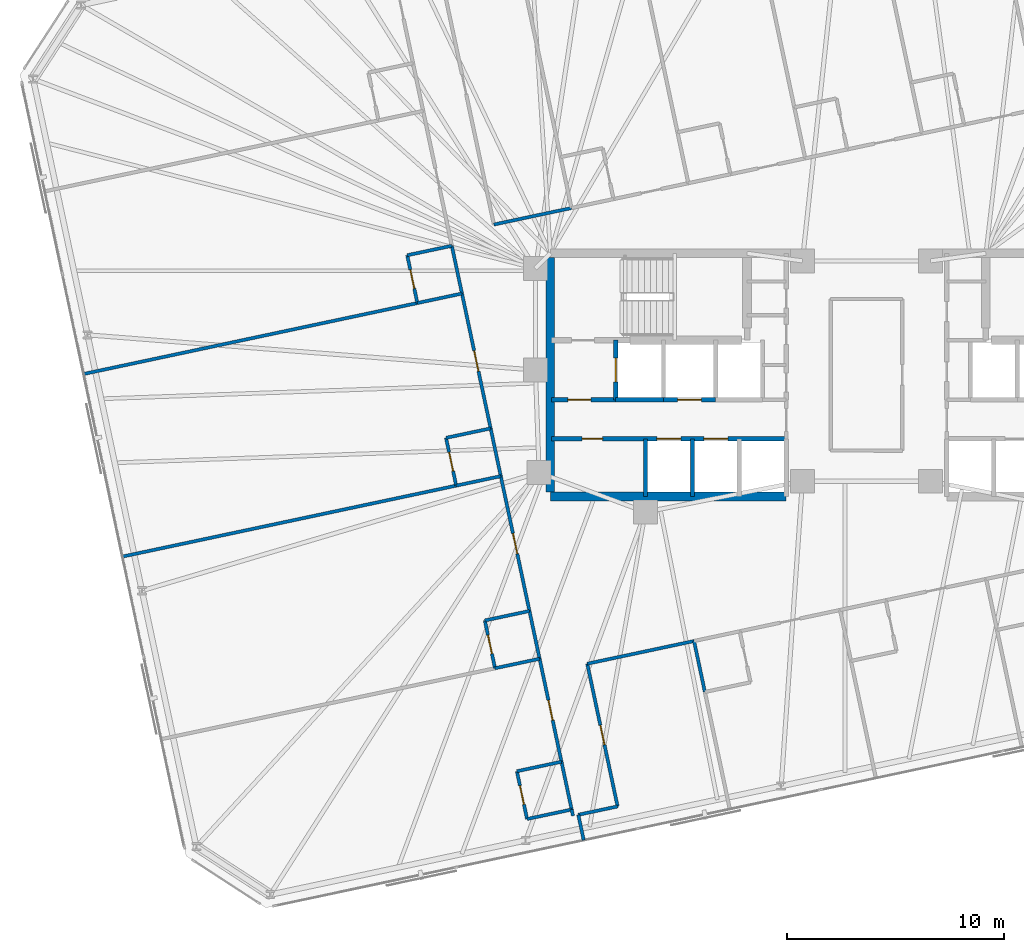
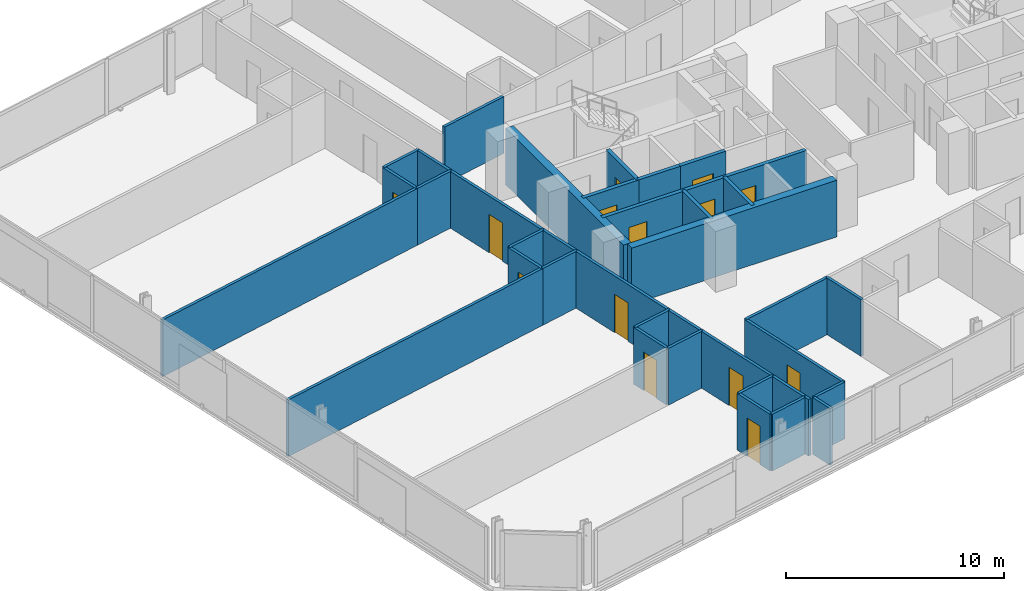
# One storey, part 14 of 20: 37 walls, 14 doors, 14 openings.
"""IFC4 building model written with IfcOpenShell, lengths in metres."""

from ifc_helpers import new_model, si_unit, direction, frame, frame_2d, origin, place, context, subcontext, project, spatial, rectangle, extrude, material, layer, layer_set, type_object, element, fill, save


model = new_model("IFC4")

# Units and contexts
model_context = context("Model", 3, precision=1e-05, world=origin(), true_north=direction((0.0, 1.0)))
body_context = subcontext(model_context, "Body", "Model", "MODEL_VIEW")
ifc_project = project(units=[si_unit("LENGTHUNIT", "METRE"), si_unit("AREAUNIT", "SQUARE_METRE"), si_unit("VOLUMEUNIT", "CUBIC_METRE"), si_unit("PLANEANGLEUNIT", "RADIAN"), si_unit("MASSUNIT", "GRAM", prefix="KILO")], contexts=[model_context])

# Site, building, storey
site_placement = place(None, origin())
site = spatial("IfcSite", under=ifc_project, at=site_placement, CompositionType="ELEMENT")
building_placement = place(site_placement, origin())
building = spatial("IfcBuilding", under=site, at=building_placement, Name="Menara Jurai Vektor", CompositionType="ELEMENT")
storey_placement = place(building_placement, frame((0.0, 0.0, 178.60009765625)))
storey = spatial("IfcBuildingStorey", under=building, at=storey_placement, Name="L46", CompositionType="ELEMENT", Elevation=178.60009765625)

# Wall, opening, door
ifc_material_1 = material(Name="Concrete C40/50", Category="concrete")
ifc_layer_1 = layer(ifc_material_1, 0.25)
ifc_layer_set_1 = layer_set([ifc_layer_1], Name="Concrete C40/50")
wall_type_1 = type_object("IfcWallType", Name="INT-WALL-CORE-250", PredefinedType="STANDARD", material=ifc_layer_set_1)
wall_1_placement = place(storey_placement, frame((-11.550048828125, -1.14990234375, 0.0), z_axis=(0.0, 0.0, 1.0), x_axis=(0.0, 1.0, 0.0)))
wall_1 = element("IfcWall", 1, at=wall_1_placement, inside=storey, type_object=wall_type_1, Name="Interior Wall IW-250 L46", PredefinedType="STANDARD", context=body_context, shape_type="SweptSolid", body=[
    extrude(rectangle(XDim=2.75, YDim=0.199951171875, at=frame_2d((1.375, 0.0))), origin(), (0.0, 0.0, 1.0), 3.1748046875),
])
opening_1_placement = place(wall_1_placement, frame((0.824951171875, 0.0, 0.0)))
opening_1 = element("IfcOpeningElement", 2, at=opening_1_placement, cuts=wall_1, Name="Opening LD-L46-FL1", PredefinedType="OPENING", context=body_context, shape_type="SweptSolid", body=[
    extrude(rectangle(XDim=1.10009765625, YDim=2.14990234375, at=frame_2d((0.550048828125, 1.074951171875))), frame((0.0, 0.10986328125, 0.0), z_axis=(0.0, -1.0, 0.0), x_axis=(1.0, 0.0, 0.0)), (0.0, 0.0, 1.0), 0.219970703125),
])
ifc_material_2 = material(Name="Stainless Steel Sliding Lift Landing Door", Category="steel")
door_type_1 = type_object("IfcDoorType", Name="DR-LIFT-FIRE-1100", OperationType="NOTDEFINED", PredefinedType="DOOR", material=ifc_material_2)
door_1_placement = place(opening_1_placement, origin())
door_1 = element("IfcDoor", 3, at=door_1_placement, inside=storey, type_object=door_type_1, Name="Lift Landing Door FL1 L46", OperationType="SLIDING_TO_RIGHT", OverallHeight=2.14990234375, OverallWidth=1.10009765625, PredefinedType="DOOR", context=body_context, shape_type="SweptSolid", body=[
    extrude(rectangle(XDim=1.10009765625, YDim=2.14990234375, at=frame_2d((0.550048828125, 1.074951171875))), frame((0.0, 0.02490234375, 0.0), z_axis=(0.0, -1.0, 0.0), x_axis=(1.0, 0.0, 0.0)), (0.0, 0.0, 1.0), 0.050048828125),
])
fill(opening_1, door_1)

wall_2_placement = place(storey_placement, frame((-14.5, -1.14990234375, 0.0), z_axis=(0.0, 0.0, 1.0), x_axis=(1.0, 0.0, 0.0)))
wall_2 = element("IfcWall", 4, at=wall_2_placement, inside=storey, type_object=wall_type_1, Name="Interior Wall IW-250 L46", PredefinedType="STANDARD", context=body_context, shape_type="SweptSolid", body=[
    extrude(rectangle(XDim=2.949951171875, YDim=0.199951171875, at=frame_2d((1.47509765625, 0.0))), origin(), (0.0, 0.0, 1.0), 3.1748046875),
])
opening_2_placement = place(wall_2_placement, frame((0.75, 0.0, 0.0)))
opening_2 = element("IfcOpeningElement", 5, at=opening_2_placement, cuts=wall_2, Name="Opening D-L46-FFW", PredefinedType="OPENING", context=body_context, shape_type="SweptSolid", body=[
    extrude(rectangle(XDim=1.050048828125, YDim=2.179931640625, at=frame_2d((0.52490234375, 1.08984375))), frame((0.0, 0.10986328125, 0.0), z_axis=(0.0, -1.0, 0.0), x_axis=(1.0, 0.0, 0.0)), (0.0, 0.0, 1.0), 0.219970703125),
])
ifc_material_3 = material(Name="Fire-Rated Timber Door", Category="wood")
door_type_2 = type_object("IfcDoorType", Name="DR-LOBBY-1050", OperationType="NOTDEFINED", PredefinedType="DOOR", material=ifc_material_3)
door_2_placement = place(opening_2_placement, origin())
door_2 = element("IfcDoor", 6, at=door_2_placement, inside=storey, type_object=door_type_2, Name="Fire Lift Lobby Door W L46", OperationType="SINGLE_SWING_RIGHT", OverallHeight=2.179931640625, OverallWidth=1.050048828125, PredefinedType="DOOR", context=body_context, shape_type="SweptSolid", body=[
    extrude(rectangle(XDim=1.050048828125, YDim=2.179931640625, at=frame_2d((0.52490234375, 1.08984375))), frame((0.0, 0.02490234375, 0.0), z_axis=(0.0, -1.0, 0.0), x_axis=(1.0, 0.0, 0.0)), (0.0, 0.0, 1.0), 0.050048828125),
])
fill(opening_2, door_2)

# Walls
wall_3_placement = place(storey_placement, frame((-11.550048828125, -1.14990234375, 0.0), z_axis=(0.0, 0.0, 1.0), x_axis=(1.0, 0.0, 0.0)))
element("IfcWall", 7, at=wall_3_placement, inside=storey, type_object=wall_type_1, Name="Interior Wall IW-250 L46", PredefinedType="STANDARD", context=body_context, shape_type="SweptSolid", body=[
    extrude(rectangle(XDim=2.199951171875, YDim=0.199951171875, at=frame_2d((1.10009765625, 0.0))), origin(), (0.0, 0.0, 1.0), 3.1748046875),
])
ifc_material_4 = material(Name="Gypsum Fireboard Partition", Category="gypsum")
ifc_layer_2 = layer(ifc_material_4, 0.14990234375)
ifc_layer_set_2 = layer_set([ifc_layer_2], Name="Gypsum Fireboard Partition")
wall_type_2 = type_object("IfcWallType", Name="INT-WALL-CORR-150", PredefinedType="PARTITIONING", material=ifc_layer_set_2)
wall_4_placement = place(storey_placement, frame((-17.162353515625, 6.92578125, 0.0), z_axis=(0.0, 0.0, 1.0), x_axis=(0.978147299501, 0.207913108004, 0.0)))
element("IfcWall", 8, at=wall_4_placement, inside=storey, type_object=wall_type_2, Name="Interior Wall IW-150 L46", PredefinedType="PARTITIONING", context=body_context, shape_type="SweptSolid", body=[
    extrude(rectangle(XDim=3.653076171875, YDim=0.14990234375, at=frame_2d((1.82666015625, 0.0))), origin(), (0.0, 0.0, 1.0), 3.1748046875),
])
wall_5_placement = place(storey_placement, frame((-13.274169921875, -20.264892578125, 0.0), z_axis=(0.0, 0.0, 1.0), x_axis=(0.978160192495, 0.207852442415, 0.0)))
element("IfcWall", 9, at=wall_5_placement, inside=storey, type_object=wall_type_2, Name="Interior Wall IW-150 L46", PredefinedType="PARTITIONING", context=body_context, shape_type="SweptSolid", body=[
    extrude(rectangle(XDim=1.849853515625, YDim=0.14990234375, at=frame_2d((0.9248046875, 0.0))), origin(), (0.0, 0.0, 1.0), 3.1748046875),
])

# Wall, opening, door
wall_6_placement = place(storey_placement, frame((-11.464599609375, -19.88037109375, 0.0), z_axis=(0.0, 0.0, 1.0), x_axis=(-0.207916109912, 0.978146661416, 0.0)))
wall_6 = element("IfcWall", 10, at=wall_6_placement, inside=storey, type_object=wall_type_2, Name="Interior Wall IW-150 L46", PredefinedType="PARTITIONING", context=body_context, shape_type="SweptSolid", body=[
    extrude(rectangle(XDim=6.72021484375, YDim=0.14990234375, at=frame_2d((3.360107421875, 0.0))), origin(), (0.0, 0.0, 1.0), 3.1748046875),
])
opening_3_placement = place(wall_6_placement, frame((2.89990234375, 0.0, 0.0)))
opening_3 = element("IfcOpeningElement", 11, at=opening_3_placement, cuts=wall_6, Name="Opening D46-20", PredefinedType="OPENING", context=body_context, shape_type="SweptSolid", body=[
    extrude(rectangle(XDim=0.919921875, YDim=2.14990234375, at=frame_2d((0.4599609375, 1.074951171875))), frame((0.0, 0.0849609375, 0.0), z_axis=(0.0, -1.0, 0.0), x_axis=(1.0, 0.0, 0.0)), (0.0, 0.0, 1.0), 0.169921875),
])
ifc_material_5 = material(Name="Solid Core Timber Fire Door", Category="wood")
door_type_3 = type_object("IfcDoorType", Name="DR-ENTRY-950", OperationType="NOTDEFINED", PredefinedType="DOOR", material=ifc_material_5)
door_3_placement = place(opening_3_placement, origin())
door_3 = element("IfcDoor", 12, at=door_3_placement, inside=storey, type_object=door_type_3, Name="Interior Door D46-20", OperationType="SINGLE_SWING_LEFT", OverallHeight=2.14990234375, OverallWidth=0.919921875, PredefinedType="DOOR", context=body_context, shape_type="SweptSolid", body=[
    extrude(rectangle(XDim=0.919921875, YDim=2.14990234375, at=frame_2d((0.4599609375, 1.074951171875))), frame((0.0, 0.02490234375, 0.0), z_axis=(0.0, -1.0, 0.0), x_axis=(1.0, 0.0, 0.0)), (0.0, 0.0, 1.0), 0.050048828125),
])
fill(opening_3, door_3)

# Walls
wall_7_placement = place(storey_placement, frame((-12.86181640625, -13.30712890625, 0.0), z_axis=(0.0, 0.0, 1.0), x_axis=(0.978145647498, 0.207920879857, 0.0)))
element("IfcWall", 13, at=wall_7_placement, inside=storey, type_object=wall_type_2, Name="Interior Wall IW-150 L46", PredefinedType="PARTITIONING", context=body_context, shape_type="SweptSolid", body=[
    extrude(rectangle(XDim=5.029052734375, YDim=0.14990234375, at=frame_2d((2.5146484375, 0.0))), origin(), (0.0, 0.0, 1.0), 3.1748046875),
])
wall_8_placement = place(storey_placement, frame((-13.518798828125, -20.31689453125, 0.0), z_axis=(0.0, 0.0, 1.0), x_axis=(-0.207527808066, 0.978229118806, 0.0)))
element("IfcWall", 14, at=wall_8_placement, inside=storey, type_object=wall_type_2, Name="Interior Wall IW-150 L46", PredefinedType="PARTITIONING", context=body_context, shape_type="SweptSolid", body=[
    extrude(rectangle(XDim=0.300048828125, YDim=0.14990234375, at=frame_2d((0.14990234375, 0.0))), origin(), (0.0, 0.0, 1.0), 3.1748046875),
])

# Wall, opening, door
wall_9_placement = place(storey_placement, frame((-14.048828125, -17.822509765625, 0.0), z_axis=(0.0, 0.0, 1.0), x_axis=(-0.2079027059, 0.978149510494, 0.0)))
wall_9 = element("IfcWall", 15, at=wall_9_placement, inside=storey, type_object=wall_type_2, Name="Interior Wall IW-150 L46", PredefinedType="PARTITIONING", context=body_context, shape_type="SweptSolid", body=[
    extrude(rectangle(XDim=4.849853515625, YDim=0.14990234375, at=frame_2d((2.4248046875, 0.0))), origin(), (0.0, 0.0, 1.0), 3.1748046875),
])
opening_4_placement = place(wall_9_placement, frame((1.949951171875, 0.0, 0.0)))
opening_4 = element("IfcOpeningElement", 16, at=opening_4_placement, cuts=wall_9, Name="Opening D46-29", PredefinedType="OPENING", context=body_context, shape_type="SweptSolid", body=[
    extrude(rectangle(XDim=0.949951171875, YDim=2.14990234375, at=frame_2d((0.47509765625, 1.074951171875))), frame((0.0, 0.0849609375, 0.0), z_axis=(0.0, -1.0, 0.0), x_axis=(1.0, 0.0, 0.0)), (0.0, 0.0, 1.0), 0.169921875),
])
door_4_placement = place(opening_4_placement, origin())
door_4 = element("IfcDoor", 17, at=door_4_placement, inside=storey, type_object=door_type_3, Name="Interior Door D46-29", OperationType="SINGLE_SWING_RIGHT", OverallHeight=2.14990234375, OverallWidth=0.949951171875, PredefinedType="DOOR", context=body_context, shape_type="SweptSolid", body=[
    extrude(rectangle(XDim=0.949951171875, YDim=2.14990234375, at=frame_2d((0.47509765625, 1.074951171875))), frame((0.0, 0.02490234375, 0.0), z_axis=(0.0, -1.0, 0.0), x_axis=(1.0, 0.0, 0.0)), (0.0, 0.0, 1.0), 0.050048828125),
])
fill(opening_4, door_4)

# Wall
wall_10_placement = place(storey_placement, frame((-13.5810546875, -20.0234375, 0.0), z_axis=(0.0, 0.0, 1.0), x_axis=(-0.207891197838, 0.978151956427, 0.0)))
element("IfcWall", 18, at=wall_10_placement, inside=storey, type_object=wall_type_2, Name="Interior Wall IW-150 L46", PredefinedType="PARTITIONING", context=body_context, shape_type="SweptSolid", body=[
    extrude(rectangle(XDim=2.25, YDim=0.14990234375, at=frame_2d((1.125, 0.0))), origin(), (0.0, 0.0, 1.0), 3.1748046875),
])

# Wall, opening, door
wall_11_placement = place(storey_placement, frame((-15.525146484375, -10.877685546875, 0.0), z_axis=(0.0, 0.0, 1.0), x_axis=(-0.207887725283, 0.978152694459, 0.0)))
wall_11 = element("IfcWall", 19, at=wall_11_placement, inside=storey, type_object=wall_type_2, Name="Interior Wall IW-150 L46", PredefinedType="PARTITIONING", context=body_context, shape_type="SweptSolid", body=[
    extrude(rectangle(XDim=6.349853515625, YDim=0.14990234375, at=frame_2d((3.1748046875, 0.0))), origin(), (0.0, 0.0, 1.0), 3.1748046875),
])
opening_5_placement = place(wall_11_placement, frame((2.699951171875, 0.0, 0.0)))
opening_5 = element("IfcOpeningElement", 20, at=opening_5_placement, cuts=wall_11, Name="Opening D46-31", PredefinedType="OPENING", context=body_context, shape_type="SweptSolid", body=[
    extrude(rectangle(XDim=0.949951171875, YDim=2.14990234375, at=frame_2d((0.47509765625, 1.074951171875))), frame((0.0, 0.0849609375, 0.0), z_axis=(0.0, -1.0, 0.0), x_axis=(1.0, 0.0, 0.0)), (0.0, 0.0, 1.0), 0.169921875),
])
door_5_placement = place(opening_5_placement, origin())
door_5 = element("IfcDoor", 21, at=door_5_placement, inside=storey, type_object=door_type_3, Name="Interior Door D46-31", OperationType="SINGLE_SWING_RIGHT", OverallHeight=2.14990234375, OverallWidth=0.949951171875, PredefinedType="DOOR", context=body_context, shape_type="SweptSolid", body=[
    extrude(rectangle(XDim=0.949951171875, YDim=2.14990234375, at=frame_2d((0.47509765625, 1.074951171875))), frame((0.0, 0.02490234375, 0.0), z_axis=(0.0, -1.0, 0.0), x_axis=(1.0, 0.0, 0.0)), (0.0, 0.0, 1.0), 0.050048828125),
])
fill(opening_5, door_5)

# Wall
wall_12_placement = place(storey_placement, frame((-15.05712890625, -13.07861328125, 0.0), z_axis=(0.0, 0.0, 1.0), x_axis=(-0.207995007687, 0.978129887478, 0.0)))
element("IfcWall", 22, at=wall_12_placement, inside=storey, type_object=wall_type_2, Name="Interior Wall IW-150 L46", PredefinedType="PARTITIONING", context=body_context, shape_type="SweptSolid", body=[
    extrude(rectangle(XDim=2.250244140625, YDim=0.14990234375, at=frame_2d((1.125, 0.0))), origin(), (0.0, 0.0, 1.0), 3.1748046875),
])

# Wall, opening, door
wall_13_placement = place(storey_placement, frame((-17.31298828125, -2.4658203125, 0.0), z_axis=(0.0, 0.0, 1.0), x_axis=(-0.207916691923, 0.978146537703, 0.0)))
wall_13 = element("IfcWall", 23, at=wall_13_placement, inside=storey, type_object=wall_type_2, Name="Interior Wall IW-150 L46", PredefinedType="PARTITIONING", context=body_context, shape_type="SweptSolid", body=[
    extrude(rectangle(XDim=6.35009765625, YDim=0.14990234375, at=frame_2d((3.175048828125, 0.0))), origin(), (0.0, 0.0, 1.0), 3.1748046875),
])
opening_6_placement = place(wall_13_placement, frame((2.699951171875, 0.0, 0.0)))
opening_6 = element("IfcOpeningElement", 24, at=opening_6_placement, cuts=wall_13, Name="Opening D46-33", PredefinedType="OPENING", context=body_context, shape_type="SweptSolid", body=[
    extrude(rectangle(XDim=0.949951171875, YDim=2.14990234375, at=frame_2d((0.47509765625, 1.074951171875))), frame((0.0, 0.0849609375, 0.0), z_axis=(0.0, -1.0, 0.0), x_axis=(1.0, 0.0, 0.0)), (0.0, 0.0, 1.0), 0.169921875),
])
door_6_placement = place(opening_6_placement, origin())
door_6 = element("IfcDoor", 25, at=door_6_placement, inside=storey, type_object=door_type_3, Name="Interior Door D46-33", OperationType="SINGLE_SWING_RIGHT", OverallHeight=2.14990234375, OverallWidth=0.949951171875, PredefinedType="DOOR", context=body_context, shape_type="SweptSolid", body=[
    extrude(rectangle(XDim=0.949951171875, YDim=2.14990234375, at=frame_2d((0.47509765625, 1.074951171875))), frame((0.0, 0.02490234375, 0.0), z_axis=(0.0, -1.0, 0.0), x_axis=(1.0, 0.0, 0.0)), (0.0, 0.0, 1.0), 0.050048828125),
])
fill(opening_6, door_6)

# Walls
for number, where, z_axis, x_axis, name in (
    (26, (-16.84521484375, -4.66650390625, 0.0), (0.0, 0.0, 1.0), (-0.207913264065, 0.978147266328, 0.0), "Interior Wall IW-150 L46"),
    (27, (-18.63330078125, 3.74560546875, 0.0), (0.0, 0.0, 1.0), (-0.207913264065, 0.978147266328, 0.0), "Interior Wall IW-150 L46"),
):
    element("IfcWall", number, at=place(storey_placement, frame(where, z_axis=z_axis, x_axis=x_axis)), inside=storey, type_object=wall_type_2, Name=name, PredefinedType="PARTITIONING", context=body_context, shape_type="SweptSolid", body=[
        extrude(rectangle(XDim=2.249755859375, YDim=0.14990234375, at=frame_2d((1.125, 0.0))), origin(), (0.0, 0.0, 1.0), 3.1748046875),
    ])
wall_14_placement = place(storey_placement, frame((-7.443603515625, -14.609130859375, 0.0), z_axis=(0.0, 0.0, 1.0), x_axis=(-0.207917150959, 0.978146440129, 0.0)))
element("IfcWall", 28, at=wall_14_placement, inside=storey, type_object=wall_type_2, Name="Interior Wall IW-150 L46", PredefinedType="PARTITIONING", context=body_context, shape_type="SweptSolid", body=[
    extrude(rectangle(XDim=2.400146484375, YDim=0.14990234375, at=frame_2d((1.2001953125, 0.0))), origin(), (0.0, 0.0, 1.0), 3.1748046875),
])
wall_15_placement = place(storey_placement, frame((-13.024658203125, -21.438720703125, 0.0), z_axis=(0.0, 0.0, 1.0), x_axis=(-0.207917150959, 0.978146440129, 0.0)))
element("IfcWall", 29, at=wall_15_placement, inside=storey, type_object=wall_type_2, Name="Interior Wall IW-150 L46", PredefinedType="PARTITIONING", context=body_context, shape_type="SweptSolid", body=[
    extrude(rectangle(XDim=1.199951171875, YDim=0.14990234375, at=frame_2d((0.60009765625, 0.0))), origin(), (0.0, 0.0, 1.0), 3.1748046875),
])

# Wall, opening, door
wall_16_placement = place(storey_placement, frame((-15.63525390625, -20.4599609375, 0.0), z_axis=(0.0, 0.0, 1.0), x_axis=(-0.207913264065, 0.978147266328, 0.0)))
wall_16 = element("IfcWall", 30, at=wall_16_placement, inside=storey, type_object=wall_type_2, Name="Interior Wall IW-150 L46", PredefinedType="PARTITIONING", context=body_context, shape_type="SweptSolid", body=[
    extrude(rectangle(XDim=2.249755859375, YDim=0.14990234375, at=frame_2d((1.125, 0.0))), origin(), (0.0, 0.0, 1.0), 3.1748046875),
])
opening_7_placement = place(wall_16_placement, frame((0.68505859375, 0.0, 0.0)))
opening_7 = element("IfcOpeningElement", 31, at=opening_7_placement, cuts=wall_16, Name="Opening D46-30", PredefinedType="OPENING", context=body_context, shape_type="SweptSolid", body=[
    extrude(rectangle(XDim=0.8798828125, YDim=2.14990234375, at=frame_2d((0.43994140625, 1.074951171875))), frame((0.0, 0.0849609375, 0.0), z_axis=(0.0, -1.0, 0.0), x_axis=(1.0, 0.0, 0.0)), (0.0, 0.0, 1.0), 0.169921875),
])
ifc_material_6 = material(Name="Moisture-Resistant Timber Door", Category="wood")
door_type_4 = type_object("IfcDoorType", Name="DR-BATH-880", OperationType="NOTDEFINED", PredefinedType="DOOR", material=ifc_material_6)
door_7_placement = place(opening_7_placement, origin())
door_7 = element("IfcDoor", 32, at=door_7_placement, inside=storey, type_object=door_type_4, Name="Interior Door D46-30", OperationType="SINGLE_SWING_LEFT", OverallHeight=2.14990234375, OverallWidth=0.8798828125, PredefinedType="DOOR", context=body_context, shape_type="SweptSolid", body=[
    extrude(rectangle(XDim=0.8798828125, YDim=2.14990234375, at=frame_2d((0.43994140625, 1.074951171875))), frame((0.0, 0.02490234375, 0.0), z_axis=(0.0, -1.0, 0.0), x_axis=(1.0, 0.0, 0.0)), (0.0, 0.0, 1.0), 0.050048828125),
])
fill(opening_7, door_7)

# Walls
for number, where, z_axis, x_axis, name in (
    (33, (-15.63525390625, -20.4599609375, 0.0), (0.0, 0.0, 1.0), (0.97815826, 0.207861536591, 0.0), "Interior Wall IW-150 L46"),
    (34, (-16.10302734375, -18.25927734375, 0.0), (0.0, 0.0, 1.0), (0.978134617382, 0.207972763311, 0.0), "Interior Wall IW-150 L46"),
    (35, (-17.111328125, -13.51513671875, 0.0), (0.0, 0.0, 1.0), (0.97815826, 0.207861536591, 0.0), "Interior Wall IW-150 L46"),
):
    element("IfcWall", number, at=place(storey_placement, frame(where, z_axis=z_axis, x_axis=x_axis)), inside=storey, type_object=wall_type_2, Name=name, PredefinedType="PARTITIONING", context=body_context, shape_type="SweptSolid", body=[
        extrude(rectangle(XDim=2.10009765625, YDim=0.14990234375, at=frame_2d((1.050048828125, 0.0))), origin(), (0.0, 0.0, 1.0), 3.1748046875),
    ])

# Wall, opening, door
wall_17_placement = place(storey_placement, frame((-17.111328125, -13.51513671875, 0.0), z_axis=(0.0, 0.0, 1.0), x_axis=(-0.207913264065, 0.978147266328, 0.0)))
wall_17 = element("IfcWall", 36, at=wall_17_placement, inside=storey, type_object=wall_type_2, Name="Interior Wall IW-150 L46", PredefinedType="PARTITIONING", context=body_context, shape_type="SweptSolid", body=[
    extrude(rectangle(XDim=2.249755859375, YDim=0.14990234375, at=frame_2d((1.125, 0.0))), origin(), (0.0, 0.0, 1.0), 3.1748046875),
])
opening_8_placement = place(wall_17_placement, frame((0.68505859375, 0.0, 0.0)))
opening_8 = element("IfcOpeningElement", 37, at=opening_8_placement, cuts=wall_17, Name="Opening D46-32", PredefinedType="OPENING", context=body_context, shape_type="SweptSolid", body=[
    extrude(rectangle(XDim=0.8798828125, YDim=2.14990234375, at=frame_2d((0.43994140625, 1.074951171875))), frame((0.0, 0.0849609375, 0.0), z_axis=(0.0, -1.0, 0.0), x_axis=(1.0, 0.0, 0.0)), (0.0, 0.0, 1.0), 0.169921875),
])
door_8_placement = place(opening_8_placement, origin())
door_8 = element("IfcDoor", 38, at=door_8_placement, inside=storey, type_object=door_type_4, Name="Interior Door D46-32", OperationType="SINGLE_SWING_LEFT", OverallHeight=2.14990234375, OverallWidth=0.8798828125, PredefinedType="DOOR", context=body_context, shape_type="SweptSolid", body=[
    extrude(rectangle(XDim=0.8798828125, YDim=2.14990234375, at=frame_2d((0.43994140625, 1.074951171875))), frame((0.0, 0.02490234375, 0.0), z_axis=(0.0, -1.0, 0.0), x_axis=(1.0, 0.0, 0.0)), (0.0, 0.0, 1.0), 0.050048828125),
])
fill(opening_8, door_8)

# Walls
wall_18_placement = place(storey_placement, frame((-17.5791015625, -11.314453125, 0.0), z_axis=(0.0, 0.0, 1.0), x_axis=(0.978129588365, 0.207996414309, 0.0)))
element("IfcWall", 39, at=wall_18_placement, inside=storey, type_object=wall_type_2, Name="Interior Wall IW-150 L46", PredefinedType="PARTITIONING", context=body_context, shape_type="SweptSolid", body=[
    extrude(rectangle(XDim=2.099853515625, YDim=0.14990234375, at=frame_2d((1.0498046875, 0.0))), origin(), (0.0, 0.0, 1.0), 3.1748046875),
])
wall_19_placement = place(storey_placement, frame((-34.27392578125, -8.37109375, 0.0), z_axis=(0.0, 0.0, 1.0), x_axis=(0.978146137903, 0.207918572776, 0.0)))
element("IfcWall", 40, at=wall_19_placement, inside=storey, type_object=wall_type_2, Name="Interior Wall IW-150 L46", PredefinedType="PARTITIONING", context=body_context, shape_type="SweptSolid", body=[
    extrude(rectangle(XDim=15.718017578125, YDim=0.14990234375, at=frame_2d((7.85888671875, 0.0))), origin(), (0.0, 0.0, 1.0), 3.1748046875),
])
wall_20_placement = place(storey_placement, frame((-18.8994140625, -5.10302734375, 0.0), z_axis=(0.0, 0.0, 1.0), x_axis=(0.97815826, 0.207861536591, 0.0)))
element("IfcWall", 41, at=wall_20_placement, inside=storey, type_object=wall_type_2, Name="Interior Wall IW-150 L46", PredefinedType="PARTITIONING", context=body_context, shape_type="SweptSolid", body=[
    extrude(rectangle(XDim=2.10009765625, YDim=0.14990234375, at=frame_2d((1.050048828125, 0.0))), origin(), (0.0, 0.0, 1.0), 3.1748046875),
])

# Wall, opening, door
wall_21_placement = place(storey_placement, frame((-18.8994140625, -5.10302734375, 0.0), z_axis=(0.0, 0.0, 1.0), x_axis=(-0.207913264065, 0.978147266328, 0.0)))
wall_21 = element("IfcWall", 42, at=wall_21_placement, inside=storey, type_object=wall_type_2, Name="Interior Wall IW-150 L46", PredefinedType="PARTITIONING", context=body_context, shape_type="SweptSolid", body=[
    extrude(rectangle(XDim=2.249755859375, YDim=0.14990234375, at=frame_2d((1.125, 0.0))), origin(), (0.0, 0.0, 1.0), 3.1748046875),
])
opening_9_placement = place(wall_21_placement, frame((0.68505859375, 0.0, 0.0)))
opening_9 = element("IfcOpeningElement", 43, at=opening_9_placement, cuts=wall_21, Name="Opening D46-34", PredefinedType="OPENING", context=body_context, shape_type="SweptSolid", body=[
    extrude(rectangle(XDim=0.8798828125, YDim=2.14990234375, at=frame_2d((0.43994140625, 1.074951171875))), frame((0.0, 0.0849609375, 0.0), z_axis=(0.0, -1.0, 0.0), x_axis=(1.0, 0.0, 0.0)), (0.0, 0.0, 1.0), 0.169921875),
])
door_9_placement = place(opening_9_placement, origin())
door_9 = element("IfcDoor", 44, at=door_9_placement, inside=storey, type_object=door_type_4, Name="Interior Door D46-34", OperationType="SINGLE_SWING_LEFT", OverallHeight=2.14990234375, OverallWidth=0.8798828125, PredefinedType="DOOR", context=body_context, shape_type="SweptSolid", body=[
    extrude(rectangle(XDim=0.8798828125, YDim=2.14990234375, at=frame_2d((0.43994140625, 1.074951171875))), frame((0.0, 0.02490234375, 0.0), z_axis=(0.0, -1.0, 0.0), x_axis=(1.0, 0.0, 0.0)), (0.0, 0.0, 1.0), 0.050048828125),
])
fill(opening_9, door_9)

# Walls
wall_22_placement = place(storey_placement, frame((-19.3671875, -2.90234375, 0.0), z_axis=(0.0, 0.0, 1.0), x_axis=(0.97815826, 0.207861536591, 0.0)))
element("IfcWall", 45, at=wall_22_placement, inside=storey, type_object=wall_type_2, Name="Interior Wall IW-150 L46", PredefinedType="PARTITIONING", context=body_context, shape_type="SweptSolid", body=[
    extrude(rectangle(XDim=2.10009765625, YDim=0.14990234375, at=frame_2d((1.050048828125, 0.0))), origin(), (0.0, 0.0, 1.0), 3.1748046875),
])
wall_23_placement = place(storey_placement, frame((-36.06201171875, 0.041015625, 0.0), z_axis=(0.0, 0.0, 1.0), x_axis=(0.978149296727, 0.207903711638, 0.0)))
element("IfcWall", 46, at=wall_23_placement, inside=storey, type_object=wall_type_2, Name="Interior Wall IW-150 L46", PredefinedType="PARTITIONING", context=body_context, shape_type="SweptSolid", body=[
    extrude(rectangle(XDim=15.718017578125, YDim=0.14990234375, at=frame_2d((7.85888671875, 0.0))), origin(), (0.0, 0.0, 1.0), 3.1748046875),
])
wall_24_placement = place(storey_placement, frame((-20.6875, 3.308837890625, 0.0), z_axis=(0.0, 0.0, 1.0), x_axis=(0.978134617382, 0.207972763311, 0.0)))
element("IfcWall", 47, at=wall_24_placement, inside=storey, type_object=wall_type_2, Name="Interior Wall IW-150 L46", PredefinedType="PARTITIONING", context=body_context, shape_type="SweptSolid", body=[
    extrude(rectangle(XDim=2.10009765625, YDim=0.14990234375, at=frame_2d((1.050048828125, 0.0))), origin(), (0.0, 0.0, 1.0), 3.1748046875),
])

# Wall, opening, door
wall_25_placement = place(storey_placement, frame((-20.6875, 3.308837890625, 0.0), z_axis=(0.0, 0.0, 1.0), x_axis=(-0.207891197838, 0.978151956427, 0.0)))
wall_25 = element("IfcWall", 48, at=wall_25_placement, inside=storey, type_object=wall_type_2, Name="Interior Wall IW-150 L46", PredefinedType="PARTITIONING", context=body_context, shape_type="SweptSolid", body=[
    extrude(rectangle(XDim=2.25, YDim=0.14990234375, at=frame_2d((1.125, 0.0))), origin(), (0.0, 0.0, 1.0), 3.1748046875),
])
opening_10_placement = place(wall_25_placement, frame((0.68505859375, 0.0, 0.0)))
opening_10 = element("IfcOpeningElement", 49, at=opening_10_placement, cuts=wall_25, Name="Opening D46-36", PredefinedType="OPENING", context=body_context, shape_type="SweptSolid", body=[
    extrude(rectangle(XDim=0.8798828125, YDim=2.14990234375, at=frame_2d((0.43994140625, 1.074951171875))), frame((0.0, 0.0849609375, 0.0), z_axis=(0.0, -1.0, 0.0), x_axis=(1.0, 0.0, 0.0)), (0.0, 0.0, 1.0), 0.169921875),
])
door_10_placement = place(opening_10_placement, origin())
door_10 = element("IfcDoor", 50, at=door_10_placement, inside=storey, type_object=door_type_4, Name="Interior Door D46-36", OperationType="SINGLE_SWING_LEFT", OverallHeight=2.14990234375, OverallWidth=0.8798828125, PredefinedType="DOOR", context=body_context, shape_type="SweptSolid", body=[
    extrude(rectangle(XDim=0.8798828125, YDim=2.14990234375, at=frame_2d((0.43994140625, 1.074951171875))), frame((0.0, 0.02490234375, 0.0), z_axis=(0.0, -1.0, 0.0), x_axis=(1.0, 0.0, 0.0)), (0.0, 0.0, 1.0), 0.050048828125),
])
fill(opening_10, door_10)

# Wall
wall_26_placement = place(storey_placement, frame((-21.1552734375, 5.509765625, 0.0), z_axis=(0.0, 0.0, 1.0), x_axis=(0.97815826, 0.207861536591, 0.0)))
element("IfcWall", 51, at=wall_26_placement, inside=storey, type_object=wall_type_2, Name="Interior Wall IW-150 L46", PredefinedType="PARTITIONING", context=body_context, shape_type="SweptSolid", body=[
    extrude(rectangle(XDim=2.10009765625, YDim=0.14990234375, at=frame_2d((1.050048828125, 0.0))), origin(), (0.0, 0.0, 1.0), 3.1748046875),
])

# Wall, opening, door
ifc_layer_3 = layer(ifc_material_1, 0.199951171875)
ifc_layer_set_3 = layer_set([ifc_layer_3], Name="Concrete C40/50")
wall_type_3 = type_object("IfcWallType", Name="INT-WALL-SHAFT-200", PredefinedType="STANDARD", material=ifc_layer_set_3)
wall_27_placement = place(storey_placement, frame((-9.35009765625, -1.14990234375, 0.0), z_axis=(0.0, 0.0, 1.0), x_axis=(1.0, 0.0, 0.0)))
wall_27 = element("IfcWall", 52, at=wall_27_placement, inside=storey, type_object=wall_type_3, Name="Interior Wall IW-200 L46", PredefinedType="STANDARD", context=body_context, shape_type="SweptSolid", body=[
    extrude(rectangle(XDim=2.400146484375, YDim=0.199951171875, at=frame_2d((1.2001953125, 0.0))), origin(), (0.0, 0.0, 1.0), 3.1748046875),
])
opening_11_placement = place(wall_27_placement, frame((0.64990234375, 0.0, 0.0)))
opening_11 = element("IfcOpeningElement", 53, at=opening_11_placement, cuts=wall_27, Name="Opening LD-L46-SVL1", PredefinedType="OPENING", context=body_context, shape_type="SweptSolid", body=[
    extrude(rectangle(XDim=1.10009765625, YDim=2.14990234375, at=frame_2d((0.550048828125, 1.074951171875))), frame((0.0, 0.10986328125, 0.0), z_axis=(0.0, -1.0, 0.0), x_axis=(1.0, 0.0, 0.0)), (0.0, 0.0, 1.0), 0.219970703125),
])
ifc_material_7 = material(Name="Anodised Stainless Sliding Lift Landing Door", Category="steel")
door_type_5 = type_object("IfcDoorType", Name="DR-LIFT-PASS-1100", OperationType="NOTDEFINED", PredefinedType="DOOR", material=ifc_material_7)
door_11_placement = place(opening_11_placement, origin())
door_11 = element("IfcDoor", 54, at=door_11_placement, inside=storey, type_object=door_type_5, Name="Lift Landing Door SVL1 L46", OperationType="SLIDING_TO_RIGHT", OverallHeight=2.14990234375, OverallWidth=1.10009765625, PredefinedType="DOOR", context=body_context, shape_type="SweptSolid", body=[
    extrude(rectangle(XDim=1.10009765625, YDim=2.14990234375, at=frame_2d((0.550048828125, 1.074951171875))), frame((0.0, 0.02490234375, 0.0), z_axis=(0.0, -1.0, 0.0), x_axis=(1.0, 0.0, 0.0)), (0.0, 0.0, 1.0), 0.050048828125),
])
fill(opening_11, door_11)

# Wall, openings, doors
wall_28_placement = place(storey_placement, frame((-14.5, -2.949951171875, 0.0), z_axis=(0.0, 0.0, 1.0), x_axis=(1.0, 0.0, 0.0)))
wall_28 = element("IfcWall", 55, at=wall_28_placement, inside=storey, type_object=wall_type_3, Name="Interior Wall IW-200 L46", PredefinedType="STANDARD", context=body_context, shape_type="SweptSolid", body=[
    extrude(rectangle(XDim=10.800048828125, YDim=0.199951171875, at=frame_2d((5.39990234375, 0.0))), origin(), (0.0, 0.0, 1.0), 3.1748046875),
])
opening_12_placement = place(wall_28_placement, frame((4.85009765625, 0.0, 0.0)))
opening_12 = element("IfcOpeningElement", 56, at=opening_12_placement, cuts=wall_28, Name="Opening LD-L46-PM1", PredefinedType="OPENING", context=body_context, shape_type="SweptSolid", body=[
    extrude(rectangle(XDim=1.10009765625, YDim=2.14990234375, at=frame_2d((0.550048828125, 1.074951171875))), frame((0.0, 0.10986328125, 0.0), z_axis=(0.0, -1.0, 0.0), x_axis=(1.0, 0.0, 0.0)), (0.0, 0.0, 1.0), 0.219970703125),
])
opening_13_placement = place(wall_28_placement, frame((7.010009765625, 0.0, 0.0)))
opening_13 = element("IfcOpeningElement", 57, at=opening_13_placement, cuts=wall_28, Name="Opening LD-L46-PM2", PredefinedType="OPENING", context=body_context, shape_type="SweptSolid", body=[
    extrude(rectangle(XDim=1.10009765625, YDim=2.14990234375, at=frame_2d((0.550048828125, 1.074951171875))), frame((0.0, 0.10986328125, 0.0), z_axis=(0.0, -1.0, 0.0), x_axis=(1.0, 0.0, 0.0)), (0.0, 0.0, 1.0), 0.219970703125),
])
opening_14_placement = place(wall_28_placement, frame((1.39990234375, 0.0, 0.0)))
opening_14 = element("IfcOpeningElement", 58, at=opening_14_placement, cuts=wall_28, Name="Opening D46-01", PredefinedType="OPENING", context=body_context, shape_type="SweptSolid", body=[
    extrude(rectangle(XDim=0.949951171875, YDim=2.14990234375, at=frame_2d((0.47509765625, 1.074951171875))), frame((0.0, 0.10986328125, 0.0), z_axis=(0.0, -1.0, 0.0), x_axis=(1.0, 0.0, 0.0)), (0.0, 0.0, 1.0), 0.219970703125),
])
door_12_placement = place(opening_14_placement, origin())
door_12 = element("IfcDoor", 59, at=door_12_placement, inside=storey, type_object=door_type_3, Name="Interior Door D46-01", OperationType="SINGLE_SWING_LEFT", OverallHeight=2.14990234375, OverallWidth=0.949951171875, PredefinedType="DOOR", context=body_context, shape_type="SweptSolid", body=[
    extrude(rectangle(XDim=0.949951171875, YDim=2.14990234375, at=frame_2d((0.47509765625, 1.074951171875))), frame((0.0, 0.02490234375, 0.0), z_axis=(0.0, -1.0, 0.0), x_axis=(1.0, 0.0, 0.0)), (0.0, 0.0, 1.0), 0.050048828125),
])
fill(opening_14, door_12)
door_13_placement = place(opening_12_placement, origin())
door_13 = element("IfcDoor", 60, at=door_13_placement, inside=storey, type_object=door_type_5, Name="Lift Landing Door PM1 L46", OperationType="SLIDING_TO_LEFT", OverallHeight=2.14990234375, OverallWidth=1.10009765625, PredefinedType="DOOR", context=body_context, shape_type="SweptSolid", body=[
    extrude(rectangle(XDim=1.10009765625, YDim=2.14990234375, at=frame_2d((0.550048828125, 1.074951171875))), frame((0.0, 0.02490234375, 0.0), z_axis=(0.0, -1.0, 0.0), x_axis=(1.0, 0.0, 0.0)), (0.0, 0.0, 1.0), 0.050048828125),
])
fill(opening_12, door_13)
door_14_placement = place(opening_13_placement, origin())
door_14 = element("IfcDoor", 61, at=door_14_placement, inside=storey, type_object=door_type_5, Name="Lift Landing Door PM2 L46", OperationType="SLIDING_TO_LEFT", OverallHeight=2.14990234375, OverallWidth=1.10009765625, PredefinedType="DOOR", context=body_context, shape_type="SweptSolid", body=[
    extrude(rectangle(XDim=1.10009765625, YDim=2.14990234375, at=frame_2d((0.550048828125, 1.074951171875))), frame((0.0, 0.02490234375, 0.0), z_axis=(0.0, -1.0, 0.0), x_axis=(1.0, 0.0, 0.0)), (0.0, 0.0, 1.0), 0.050048828125),
])
fill(opening_13, door_14)

# Walls
for number, where, z_axis, x_axis, name in (
    (62, (-10.179931640625, -5.60009765625, 0.0), (0.0, 0.0, 1.0), (0.0, 1.0, 0.0), "Interior Wall IW-200 L46"),
    (63, (-8.02001953125, -5.60009765625, 0.0), (0.0, 0.0, 1.0), (0.0, 1.0, 0.0), "Interior Wall IW-200 L46"),
):
    element("IfcWall", number, at=place(storey_placement, frame(where, z_axis=z_axis, x_axis=x_axis)), inside=storey, type_object=wall_type_3, Name=name, PredefinedType="STANDARD", context=body_context, shape_type="SweptSolid", body=[
        extrude(rectangle(XDim=2.650146484375, YDim=0.179931640625, at=frame_2d((1.3251953125, 0.0))), origin(), (0.0, 0.0, 1.0), 3.1748046875),
    ])
ifc_material_8 = material(Name="Concrete C50/60", Category="concrete")
ifc_layer_4 = layer(ifc_material_8, 0.39990234375)
ifc_layer_set_4 = layer_set([ifc_layer_4], Name="Concrete C50/60")
wall_type_4 = type_object("IfcWallType", Name="STR-WALL-CORE400", PredefinedType="SHEAR", material=ifc_layer_set_4)
wall_29_placement = place(storey_placement, frame((-14.56005859375, -5.60009765625, 0.0), z_axis=(0.0, 0.0, 1.0), x_axis=(1.0, 0.0, 0.0)))
element("IfcWall", 64, at=wall_29_placement, inside=storey, type_object=wall_type_4, Name="Core Shear Wall CW-W-S L46", PredefinedType="SHEAR", context=body_context, shape_type="SweptSolid", body=[
    extrude(rectangle(XDim=10.860107421875, YDim=0.39990234375, at=frame_2d((5.43017578125, 0.0))), origin(), (0.0, 0.0, 1.0), 3.1748046875),
])
wall_30_placement = place(storey_placement, frame((-14.56005859375, -5.39990234375, 0.0), z_axis=(0.0, 0.0, 1.0), x_axis=(0.0, 1.0, 0.0)))
element("IfcWall", 65, at=wall_30_placement, inside=storey, type_object=wall_type_4, Name="Core Shear Wall CW-W-W L46", PredefinedType="SHEAR", context=body_context, shape_type="SweptSolid", body=[
    extrude(rectangle(XDim=10.7998046875, YDim=0.39990234375, at=frame_2d((5.39990234375, 0.0))), origin(), (0.0, 0.0, 1.0), 3.1748046875),
])

save(model, "model.ifc")
